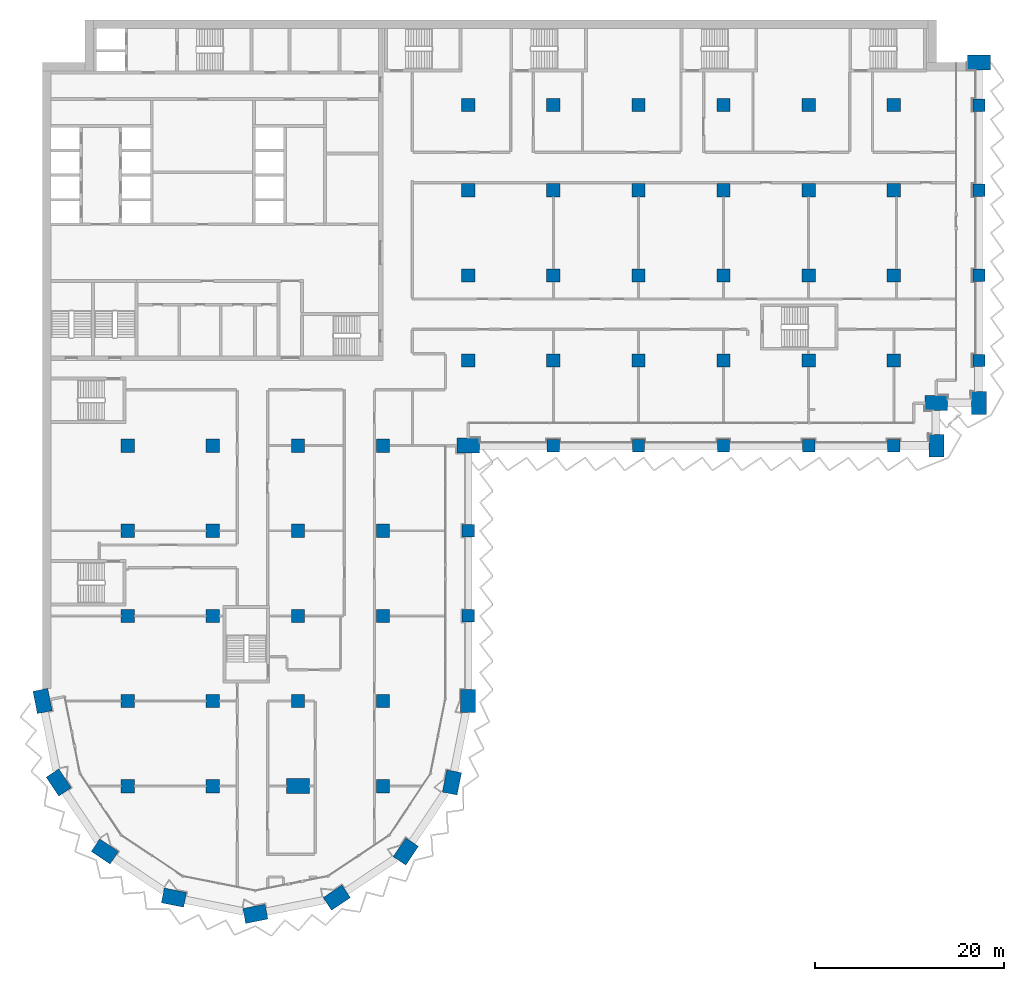
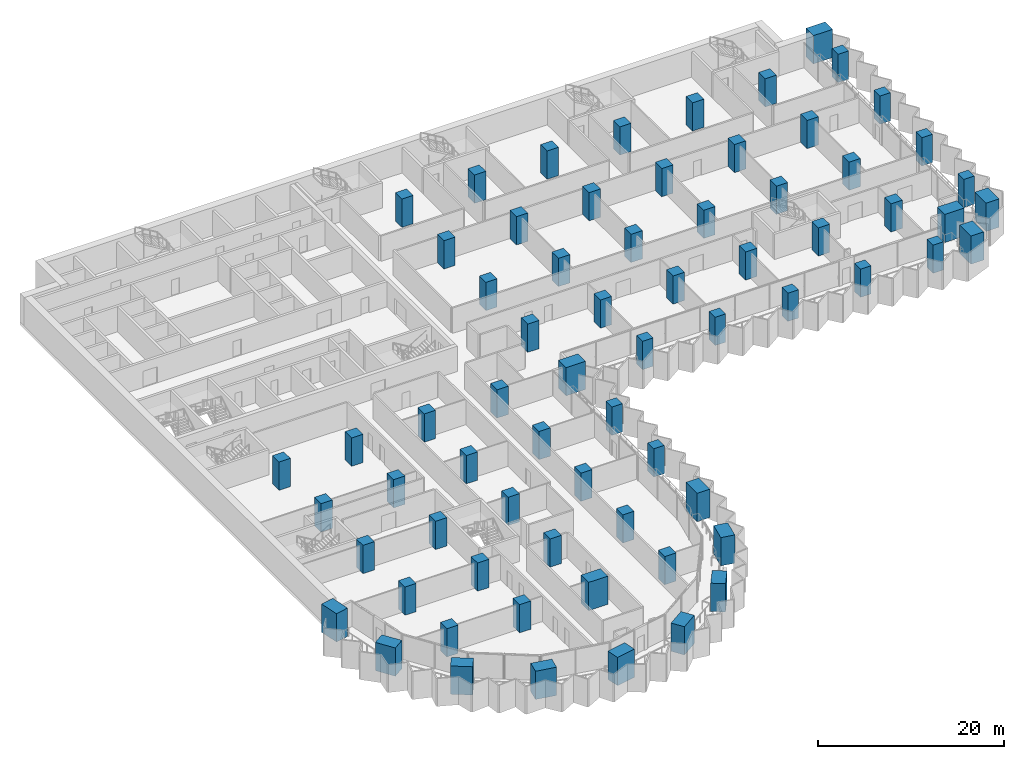
# One storey, part 1 of 28: 69 columns.
"""IFC4 building model written with IfcOpenShell, lengths in metres."""

from ifc_helpers import new_model, si_unit, direction, frame, origin, origin_2d, place, context, subcontext, project, spatial, rectangle, extrude, material, material_profile, profile_set, type_object, element, save


model = new_model("IFC4")

# Units and contexts
model_context = context("Model", 3, precision=1e-05, world=origin(), true_north=direction((0.0, 1.0)))
body_context = subcontext(model_context, "Body", "Model", "MODEL_VIEW")
ifc_project = project(units=[si_unit("LENGTHUNIT", "METRE"), si_unit("AREAUNIT", "SQUARE_METRE"), si_unit("VOLUMEUNIT", "CUBIC_METRE"), si_unit("PLANEANGLEUNIT", "RADIAN"), si_unit("MASSUNIT", "GRAM", prefix="KILO")], contexts=[model_context])

# Site, building, storey
site_placement = place(None, origin())
site = spatial("IfcSite", under=ifc_project, at=site_placement, CompositionType="ELEMENT")
building_placement = place(site_placement, origin())
building = spatial("IfcBuilding", under=site, at=building_placement, Name="Hunhe Ridgeline Campus", CompositionType="ELEMENT")
storey_placement = place(building_placement, frame((0.0, 0.0, 61.699951171875)))
storey = spatial("IfcBuildingStorey", under=building, at=storey_placement, Name="L14", CompositionType="ELEMENT", Elevation=61.699951171875)

# Columns
ifc_material = material(Name="Concrete C80", Category="concrete")
ifc_material_profile_1 = material_profile(ifc_material, rectangle(XDim=2.39990234375, YDim=1.60009765625, at=origin_2d()))
ifc_profile_set_1 = profile_set([ifc_material_profile_1], Name="Concrete C80")
column_type_1 = type_object("IfcColumnType", Name="Megacolumn 2400x1600 Concrete C80", PredefinedType="COLUMN", material=ifc_profile_set_1)
for number, where, z_axis, x_axis, name in (
    (1, (22.5, 4.5, 0.0), (0.0, 0.0, 1.0), (0.980785280403, 0.195090322016, 0.0), "Column C3 R1 L14"),
    (2, (13.8896484375, 6.212646484375, 0.0), (0.0, 0.0, 1.0), (-0.980785280403, 0.195090322016, 0.0), "Column C3 R2 L14"),
    (3, (31.1103515625, 6.212646484375, 0.0), (0.0, 0.0, 1.0), (0.831469612303, 0.55557023302, 0.0), "Column C3 R3 L14"),
    (4, (6.590087890625, 11.090087890625, 0.0), (0.0, 0.0, 1.0), (-0.831469612303, 0.55557023302, 0.0), "Column C3 R4 L14"),
    (5, (38.409912109375, 11.090087890625, 0.0), (0.0, 0.0, 1.0), (0.55557023302, 0.831469612303, 0.0), "Column C3 R5 L14"),
    (6, (1.712646484375, 18.3896484375, 0.0), (0.0, 0.0, 1.0), (-0.55557023302, 0.831469612303, 0.0), "Column C3 R9 L14"),
    (7, (43.287353515625, 18.3896484375, 0.0), (0.0, 0.0, 1.0), (0.195090322016, 0.980785280403, 0.0), "Column C3 R10 L14"),
    (8, (0.0, 27.0, 0.0), (0.0, 0.0, 1.0), (-0.195090322016, 0.980785280403, 0.0), "Column C3 D1 L14"),
    (9, (45.0, 27.0, 0.0), (0.0, 0.0, 1.0), (0.0, 1.0, 0.0), "Column C3 D6 L14"),
    (10, (45.0, 54.0, 0.0), (0.0, 0.0, 1.0), (1.0, 0.0, 0.0), "Column C3 G6 L14"),
    (11, (94.5, 54.0, 0.0), (0.0, 0.0, 1.0), (0.0, 1.0, 0.0), "Column C3 R32 L14"),
    (12, (94.5, 58.5, 0.0), (0.0, 0.0, 1.0), (1.0, 0.0, 0.0), "Column C3 R39 L14"),
    (13, (99.0, 58.5, 0.0), (0.0, 0.0, 1.0), (0.0, 1.0, 0.0), "Column C3 R40 L14"),
    (14, (99.0, 94.5, 0.0), (0.0, 0.0, 1.0), (1.0, 0.0, 0.0), "Column C3 R44 L14"),
    (15, (27.0, 18.0, 0.0), (0.0, 0.0, 1.0), (1.0, 0.0, 0.0), "Column C3 C4 L14"),
):
    element("IfcColumn", number, at=place(storey_placement, frame(where, z_axis=z_axis, x_axis=x_axis)), inside=storey, type_object=column_type_1, Name=name, PredefinedType="COLUMN", context=body_context, shape_type="SweptSolid", body=[
        extrude(rectangle(XDim=2.39990234375, YDim=1.60009765625, at=origin_2d()), origin(), (0.0, 0.0, 1.0), 3.699951171875),
    ])
ifc_material_profile_2 = material_profile(ifc_material, rectangle(XDim=1.300048828125, YDim=1.300048828125, at=origin_2d()))
ifc_profile_set_2 = profile_set([ifc_material_profile_2], Name="Concrete C80")
column_type_2 = type_object("IfcColumnType", Name="RC column 1300x1300 Concrete C80", PredefinedType="COLUMN", material=ifc_profile_set_2)
for number, where, z_axis, x_axis, name in (
    (16, (45.0, 36.0, 0.0), (0.0, 0.0, 1.0), (1.0, 0.0, 0.0), "Column C4 E6 L14"),
    (17, (45.0, 45.0, 0.0), (0.0, 0.0, 1.0), (1.0, 0.0, 0.0), "Column C4 F6 L14"),
    (18, (54.0, 54.0, 0.0), (0.0, 0.0, 1.0), (1.0, 0.0, 0.0), "Column C4 G7 L14"),
    (19, (63.0, 54.0, 0.0), (0.0, 0.0, 1.0), (1.0, 0.0, 0.0), "Column C4 G8 L14"),
    (20, (72.0, 54.0, 0.0), (0.0, 0.0, 1.0), (1.0, 0.0, 0.0), "Column C4 G9 L14"),
    (21, (81.0, 54.0, 0.0), (0.0, 0.0, 1.0), (1.0, 0.0, 0.0), "Column C4 G10 L14"),
    (22, (90.0, 54.0, 0.0), (0.0, 0.0, 1.0), (1.0, 0.0, 0.0), "Column C4 G11 L14"),
    (23, (99.0, 63.0, 0.0), (0.0, 0.0, 1.0), (1.0, 0.0, 0.0), "Column C4 H12 L14"),
    (24, (99.0, 72.0, 0.0), (0.0, 0.0, 1.0), (1.0, 0.0, 0.0), "Column C4 I12 L14"),
    (25, (99.0, 81.0, 0.0), (0.0, 0.0, 1.0), (1.0, 0.0, 0.0), "Column C4 J12 L14"),
    (26, (99.0, 90.0, 0.0), (0.0, 0.0, 1.0), (1.0, 0.0, 0.0), "Column C4 K12 L14"),
):
    element("IfcColumn", number, at=place(storey_placement, frame(where, z_axis=z_axis, x_axis=x_axis)), inside=storey, type_object=column_type_2, Name=name, PredefinedType="COLUMN", context=body_context, shape_type="SweptSolid", body=[
        extrude(rectangle(XDim=1.300048828125, YDim=1.300048828125, at=origin_2d()), origin(), (0.0, 0.0, 1.0), 3.699951171875),
    ])
ifc_material_profile_3 = material_profile(ifc_material, rectangle(XDim=1.39990234375, YDim=1.39990234375, at=origin_2d()))
ifc_profile_set_3 = profile_set([ifc_material_profile_3], Name="Concrete C80")
column_type_3 = type_object("IfcColumnType", Name="RC column 1400x1400 Concrete C80", PredefinedType="COLUMN", material=ifc_profile_set_3)
for number, where, z_axis, x_axis, name in (
    (27, (9.0, 18.0, 0.0), (0.0, 0.0, 1.0), (1.0, 0.0, 0.0), "Column C5 C2 L14"),
    (28, (9.0, 27.0, 0.0), (0.0, 0.0, 1.0), (1.0, 0.0, 0.0), "Column C5 D2 L14"),
    (29, (9.0, 36.0, 0.0), (0.0, 0.0, 1.0), (1.0, 0.0, 0.0), "Column C5 E2 L14"),
    (30, (9.0, 45.0, 0.0), (0.0, 0.0, 1.0), (1.0, 0.0, 0.0), "Column C5 F2 L14"),
    (31, (9.0, 54.0, 0.0), (0.0, 0.0, 1.0), (1.0, 0.0, 0.0), "Column C5 G2 L14"),
    (32, (18.0, 18.0, 0.0), (0.0, 0.0, 1.0), (1.0, 0.0, 0.0), "Column C5 C3 L14"),
    (33, (18.0, 27.0, 0.0), (0.0, 0.0, 1.0), (1.0, 0.0, 0.0), "Column C5 D3 L14"),
    (34, (18.0, 36.0, 0.0), (0.0, 0.0, 1.0), (1.0, 0.0, 0.0), "Column C5 E3 L14"),
    (35, (18.0, 45.0, 0.0), (0.0, 0.0, 1.0), (1.0, 0.0, 0.0), "Column C5 F3 L14"),
    (36, (18.0, 54.0, 0.0), (0.0, 0.0, 1.0), (1.0, 0.0, 0.0), "Column C5 G3 L14"),
    (37, (27.0, 27.0, 0.0), (0.0, 0.0, 1.0), (1.0, 0.0, 0.0), "Column C5 D4 L14"),
    (38, (27.0, 36.0, 0.0), (0.0, 0.0, 1.0), (1.0, 0.0, 0.0), "Column C5 E4 L14"),
    (39, (27.0, 45.0, 0.0), (0.0, 0.0, 1.0), (1.0, 0.0, 0.0), "Column C5 F4 L14"),
    (40, (27.0, 54.0, 0.0), (0.0, 0.0, 1.0), (1.0, 0.0, 0.0), "Column C5 G4 L14"),
    (41, (36.0, 18.0, 0.0), (0.0, 0.0, 1.0), (1.0, 0.0, 0.0), "Column C5 C5 L14"),
    (42, (36.0, 27.0, 0.0), (0.0, 0.0, 1.0), (1.0, 0.0, 0.0), "Column C5 D5 L14"),
    (43, (36.0, 36.0, 0.0), (0.0, 0.0, 1.0), (1.0, 0.0, 0.0), "Column C5 E5 L14"),
    (44, (36.0, 45.0, 0.0), (0.0, 0.0, 1.0), (1.0, 0.0, 0.0), "Column C5 F5 L14"),
    (45, (36.0, 54.0, 0.0), (0.0, 0.0, 1.0), (1.0, 0.0, 0.0), "Column C5 G5 L14"),
    (46, (45.0, 63.0, 0.0), (0.0, 0.0, 1.0), (1.0, 0.0, 0.0), "Column C5 H6 L14"),
    (47, (45.0, 72.0, 0.0), (0.0, 0.0, 1.0), (1.0, 0.0, 0.0), "Column C5 I6 L14"),
    (48, (45.0, 81.0, 0.0), (0.0, 0.0, 1.0), (1.0, 0.0, 0.0), "Column C5 J6 L14"),
    (49, (45.0, 90.0, 0.0), (0.0, 0.0, 1.0), (1.0, 0.0, 0.0), "Column C5 K6 L14"),
    (50, (54.0, 63.0, 0.0), (0.0, 0.0, 1.0), (1.0, 0.0, 0.0), "Column C5 H7 L14"),
    (51, (54.0, 72.0, 0.0), (0.0, 0.0, 1.0), (1.0, 0.0, 0.0), "Column C5 I7 L14"),
    (52, (54.0, 81.0, 0.0), (0.0, 0.0, 1.0), (1.0, 0.0, 0.0), "Column C5 J7 L14"),
    (53, (54.0, 90.0, 0.0), (0.0, 0.0, 1.0), (1.0, 0.0, 0.0), "Column C5 K7 L14"),
    (54, (63.0, 63.0, 0.0), (0.0, 0.0, 1.0), (1.0, 0.0, 0.0), "Column C5 H8 L14"),
    (55, (63.0, 72.0, 0.0), (0.0, 0.0, 1.0), (1.0, 0.0, 0.0), "Column C5 I8 L14"),
    (56, (63.0, 81.0, 0.0), (0.0, 0.0, 1.0), (1.0, 0.0, 0.0), "Column C5 J8 L14"),
    (57, (63.0, 90.0, 0.0), (0.0, 0.0, 1.0), (1.0, 0.0, 0.0), "Column C5 K8 L14"),
    (58, (72.0, 63.0, 0.0), (0.0, 0.0, 1.0), (1.0, 0.0, 0.0), "Column C5 H9 L14"),
    (59, (72.0, 72.0, 0.0), (0.0, 0.0, 1.0), (1.0, 0.0, 0.0), "Column C5 I9 L14"),
    (60, (72.0, 81.0, 0.0), (0.0, 0.0, 1.0), (1.0, 0.0, 0.0), "Column C5 J9 L14"),
    (61, (72.0, 90.0, 0.0), (0.0, 0.0, 1.0), (1.0, 0.0, 0.0), "Column C5 K9 L14"),
    (62, (81.0, 63.0, 0.0), (0.0, 0.0, 1.0), (1.0, 0.0, 0.0), "Column C5 H10 L14"),
    (63, (81.0, 72.0, 0.0), (0.0, 0.0, 1.0), (1.0, 0.0, 0.0), "Column C5 I10 L14"),
    (64, (81.0, 81.0, 0.0), (0.0, 0.0, 1.0), (1.0, 0.0, 0.0), "Column C5 J10 L14"),
    (65, (81.0, 90.0, 0.0), (0.0, 0.0, 1.0), (1.0, 0.0, 0.0), "Column C5 K10 L14"),
    (66, (90.0, 63.0, 0.0), (0.0, 0.0, 1.0), (1.0, 0.0, 0.0), "Column C5 H11 L14"),
    (67, (90.0, 72.0, 0.0), (0.0, 0.0, 1.0), (1.0, 0.0, 0.0), "Column C5 I11 L14"),
    (68, (90.0, 81.0, 0.0), (0.0, 0.0, 1.0), (1.0, 0.0, 0.0), "Column C5 J11 L14"),
    (69, (90.0, 90.0, 0.0), (0.0, 0.0, 1.0), (1.0, 0.0, 0.0), "Column C5 K11 L14"),
):
    element("IfcColumn", number, at=place(storey_placement, frame(where, z_axis=z_axis, x_axis=x_axis)), inside=storey, type_object=column_type_3, Name=name, PredefinedType="COLUMN", context=body_context, shape_type="SweptSolid", body=[
        extrude(rectangle(XDim=1.39990234375, YDim=1.39990234375, at=origin_2d()), origin(), (0.0, 0.0, 1.0), 3.699951171875),
    ])

save(model, "model.ifc")
